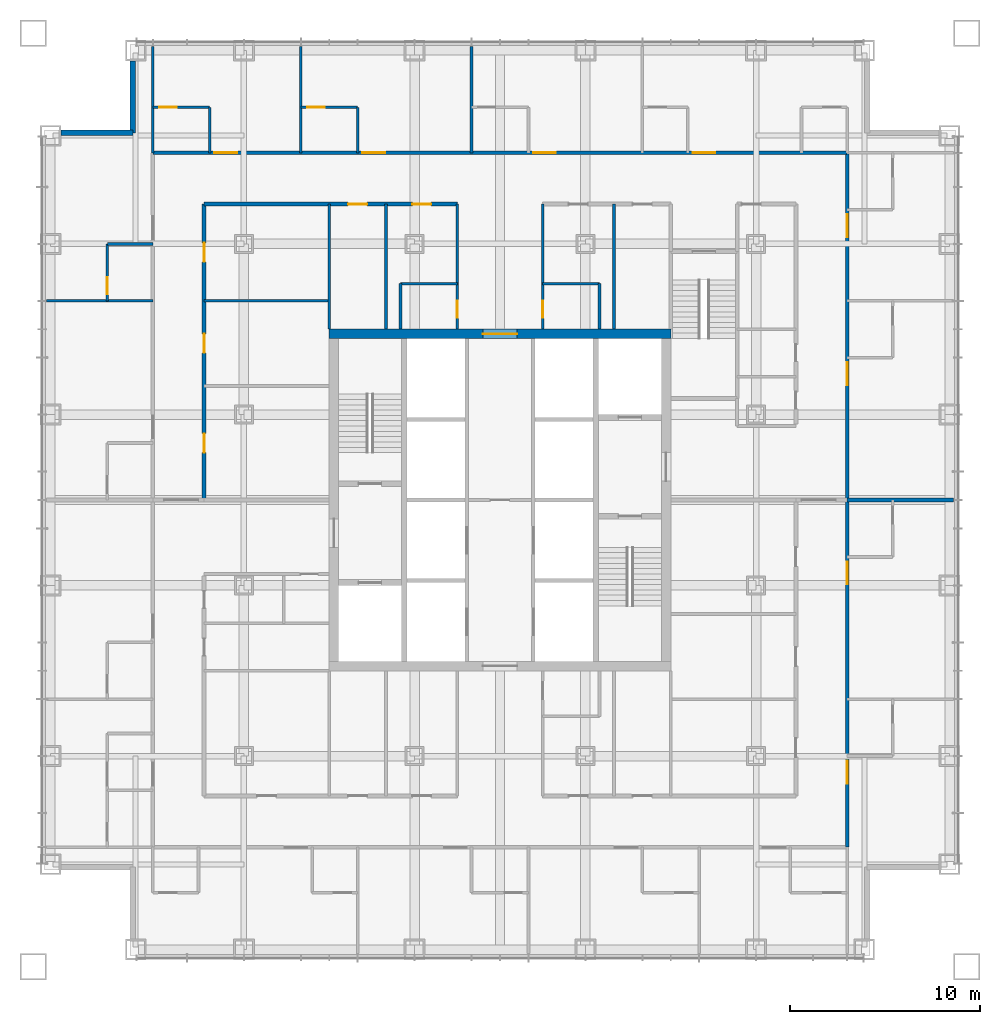
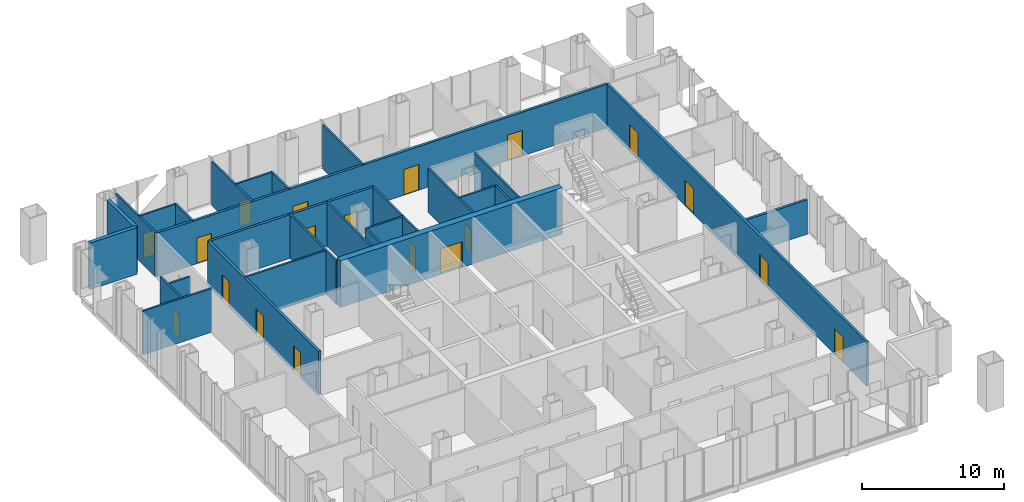
# One storey, part 11 of 13: 28 walls, 19 doors, 19 openings.
"""IFC4 building model written with IfcOpenShell, lengths in metres."""

import ifcopenshell
import ifcopenshell.guid

model = None  # the IFC model being written
_history = None  # IfcOwnerHistory: only IFC2X3 demands one
_inside = {}  # id of a spatial element -> (the spatial element, [elements in it])
_under = {}  # id of a project, library or spatial element -> (it, [spatial elements below it])
_declared = {}  # id of a project -> (the project, [libraries it declares])
_typed = {}  # id of a type object -> (the type object, [elements of that type])
_made_of = {}  # id of a material, layer set ... -> (it, [elements and type objects made of it])


def new_model(schema):
    """Start an empty IFC model of exactly this schema.

    Asked for "IFC4X3", IfcOpenShell would pick the latest addendum, in which some entities
    have other attributes; the version numbers below select the first issue.
    IFC2X3 requires an IfcOwnerHistory on every rooted entity: one is made here for all.
    """
    global model, _history
    if schema == "IFC4X3":
        model = ifcopenshell.file(schema_version=(4, 3, 0, 0))
    else:
        model = ifcopenshell.file(schema=schema)
    _inside.clear()
    _under.clear()
    _declared.clear()
    _typed.clear()
    _made_of.clear()
    _history = None
    if model.schema == "IFC2X3":
        org = make("IfcOrganization", Name="unknown")
        user = make(
            "IfcPersonAndOrganization",
            ThePerson=make("IfcPerson", FamilyName="unknown"),
            TheOrganization=org,
        )
        app = make(
            "IfcApplication",
            ApplicationDeveloper=org,
            Version="unknown",
            ApplicationFullName="unknown",
            ApplicationIdentifier="unknown",
        )
        _history = make(
            "IfcOwnerHistory",
            OwningUser=user,
            OwningApplication=app,
            ChangeAction="ADDED",
            CreationDate=0,
        )
    return model


def make(cls, **values):
    """One entity of the class cls with the attributes given. An attribute that is None is left unset."""
    return model.create_entity(
        cls, **{name: value for name, value in values.items() if value is not None}
    )


def rooted(cls, **values):
    """An entity with a GlobalId (a new one), such as an element, a storey or a relation."""
    return make(cls, GlobalId=ifcopenshell.guid.new(), OwnerHistory=_history, **values)


def si_unit(unit_type, name, prefix=None):
    """IfcSIUnit, for example si_unit("LENGTHUNIT", "METRE", prefix="MILLI")."""
    return make("IfcSIUnit", UnitType=unit_type, Prefix=prefix, Name=name)


def assignment(units):
    """IfcUnitAssignment: the units of a project."""
    return None if units is None else make("IfcUnitAssignment", Units=units)


def point(xyz):
    """IfcCartesianPoint."""
    return None if xyz is None else make("IfcCartesianPoint", Coordinates=xyz)


def direction(xyz):
    """IfcDirection."""
    return None if xyz is None else make("IfcDirection", DirectionRatios=xyz)


def frame(location, z_axis=None, x_axis=None):
    """IfcAxis2Placement3D, a coordinate frame: its origin and axes. An axis left out is left unset."""
    return make(
        "IfcAxis2Placement3D",
        Location=point(location),
        Axis=direction(z_axis),
        RefDirection=direction(x_axis),
    )


def frame_2d(location, x_axis=None):
    """IfcAxis2Placement2D, a coordinate frame in the plane: its origin and x axis."""
    return make(
        "IfcAxis2Placement2D", Location=point(location), RefDirection=direction(x_axis)
    )


def origin():
    """The frame at (0, 0, 0) with its axes left unset."""
    return frame((0.0, 0.0, 0.0))


def place(relative_to, where):
    """IfcLocalPlacement: puts the frame where relative to a parent placement (None: the world)."""
    return make(
        "IfcLocalPlacement", PlacementRelTo=relative_to, RelativePlacement=where
    )


def context(
    kind, dimensions, precision=None, world=None, true_north=None, identifier=None
):
    """IfcGeometricRepresentationContext, for example the 3D "Model" context."""
    return make(
        "IfcGeometricRepresentationContext",
        ContextIdentifier=identifier,
        ContextType=kind,
        CoordinateSpaceDimension=dimensions,
        Precision=precision,
        WorldCoordinateSystem=world,
        TrueNorth=true_north,
    )


def subcontext(parent, identifier, kind, view, scale=None):
    """IfcGeometricRepresentationSubContext, for example "Body" below "Model"."""
    return make(
        "IfcGeometricRepresentationSubContext",
        ContextIdentifier=identifier,
        ContextType=kind,
        ParentContext=parent,
        TargetScale=scale,
        TargetView=view,
    )


def project(units=None, contexts=None):
    """IfcProject with its units and contexts."""
    return rooted(
        "IfcProject",
        Name="project",
        RepresentationContexts=contexts,
        UnitsInContext=assignment(units),
    )


def spatial(cls, under=None, at=None, **own):
    """A site, building, storey or space (cls), placed at a placement, below another one or the project."""
    s = rooted(cls, ObjectPlacement=at, **own)
    if under is not None:
        _under.setdefault(under.id(), (under, []))[1].append(s)
    return s


def profile(cls, at=None, kind="AREA", **sizes):
    """A parametric profile (cls). Its sizes go by their IFC names, for example OverallWidth=200.0."""
    return make(cls, ProfileType=kind, Position=at, **sizes)


def rectangle(**sizes):
    """IfcRectangleProfileDef."""
    return profile("IfcRectangleProfileDef", **sizes)


def extrude(swept, where, along, depth):
    """IfcExtrudedAreaSolid: the profile swept, set in the frame where, extruded along a direction by depth."""
    return make(
        "IfcExtrudedAreaSolid",
        SweptArea=swept,
        Position=where,
        ExtrudedDirection=direction(along),
        Depth=depth,
    )


def shape(context_of_items, identifier, shape_type, items):
    """IfcShapeRepresentation: the items that make up one representation, for example the "Body"."""
    return make(
        "IfcShapeRepresentation",
        ContextOfItems=context_of_items,
        RepresentationIdentifier=identifier,
        RepresentationType=shape_type,
        Items=items,
    )


def material(Name=None, Category=None):
    """IfcMaterial."""
    return make("IfcMaterial", Name=Name, Category=Category)


def layer(
    of_material, thickness, ventilated=None, Name=None, Category=None, Priority=None
):
    """IfcMaterialLayer: one layer of a wall or slab, of a material (None: an air gap)."""
    return make(
        "IfcMaterialLayer",
        Material=of_material,
        LayerThickness=thickness,
        IsVentilated=ventilated,
        Name=Name,
        Category=Category,
        Priority=Priority,
    )


def layer_set(layers, Name=None):
    """IfcMaterialLayerSet."""
    return make("IfcMaterialLayerSet", MaterialLayers=layers, LayerSetName=Name)


def made_of(thing, what):
    """Note that an element or type object is made of a material, layer set ...; save() writes the relation."""
    if what is not None:
        _made_of.setdefault(what.id(), (what, []))[1].append(thing)
    return thing


def type_object(cls, material=None, **own):
    """A type object (cls), such as IfcWallType, which elements share."""
    return made_of(rooted(cls, **own), material)


def element(
    cls,
    number,
    at=None,
    inside=None,
    cuts=None,
    type_object=None,
    material=None,
    context=None,
    identifier="Body",
    shape_type=None,
    held_by="IfcProductDefinitionShape",
    body=None,
    shapes=None,
    **own,
):
    """One element of the class cls, such as IfcWall. Its Tag is "e" and its number.

    at: its placement. inside: the storey or other place that contains it. cuts: it is an
    opening in that element (IfcRelVoidsElement). A single representation is given by context,
    identifier, shape_type and body (its items); several are given by shapes. held_by: the class
    of the entity that holds the representations. save() writes the other relations.
    """
    e = rooted(cls, Tag="e%d" % number, ObjectPlacement=at, **own)
    if body is not None:
        shapes = [shape(context, identifier, shape_type, body)]
    if shapes is not None:
        e.Representation = make(held_by, Representations=shapes)
    if inside is not None:
        _inside.setdefault(inside.id(), (inside, []))[1].append(e)
    if cuts is not None:
        rooted(
            "IfcRelVoidsElement", RelatingBuildingElement=cuts, RelatedOpeningElement=e
        )
    if type_object is not None:
        _typed.setdefault(type_object.id(), (type_object, []))[1].append(e)
    return made_of(e, material)


def fill(opening, filler):
    """IfcRelFillsElement: the door or window that sits in an opening."""
    return rooted(
        "IfcRelFillsElement",
        RelatingOpeningElement=opening,
        RelatedBuildingElement=filler,
    )


def aggregate(whole, parts):
    """IfcRelAggregates: a whole, such as a stair, and the parts it consists of."""
    return rooted("IfcRelAggregates", RelatingObject=whole, RelatedObjects=parts)


def save(model, path):
    """Write the relations noted so far, then the file.

    IfcRelAggregates (storeys below a building ...), IfcRelContainedInSpatialStructure (elements
    in a storey), IfcRelDefinesByType, IfcRelAssociatesMaterial and IfcRelDeclares: one each for
    every whole, place, type object, material and project.
    """
    for whole, parts in _under.values():
        aggregate(whole, parts)
    for where, things in _inside.values():
        rooted(
            "IfcRelContainedInSpatialStructure",
            RelatedElements=things,
            RelatingStructure=where,
        )
    for kind, things in _typed.values():
        rooted("IfcRelDefinesByType", RelatedObjects=things, RelatingType=kind)
    for what, things in _made_of.values():
        rooted("IfcRelAssociatesMaterial", RelatedObjects=things, RelatingMaterial=what)
    for by, libraries in _declared.values():
        rooted("IfcRelDeclares", RelatingContext=by, RelatedDefinitions=libraries)
    model.write(path)


model = new_model("IFC4")

# Units and contexts
model_context = context("Model", 3, precision=1e-05, world=origin(), true_north=direction((0.0, 1.0)))
body_context = subcontext(model_context, "Body", "Model", "MODEL_VIEW")
ifc_project = project(units=[si_unit("LENGTHUNIT", "METRE"), si_unit("AREAUNIT", "SQUARE_METRE"), si_unit("VOLUMEUNIT", "CUBIC_METRE"), si_unit("PLANEANGLEUNIT", "RADIAN"), si_unit("MASSUNIT", "GRAM", prefix="KILO")], contexts=[model_context])

# Site, building, storey
site_placement = place(None, origin())
site = spatial("IfcSite", under=ifc_project, at=site_placement, CompositionType="ELEMENT")
building_placement = place(site_placement, origin())
building = spatial("IfcBuilding", under=site, at=building_placement, Name="Malebo Sky Hospital", CompositionType="ELEMENT")
storey_placement = place(building_placement, frame((0.0, 0.0, 104.0)))
storey = spatial("IfcBuildingStorey", under=building, at=storey_placement, Name="L24", CompositionType="ELEMENT", Elevation=104.0)

# Wall, opening, door
ifc_material_1 = material(Name="Concrete C80/95", Category="concrete")
ifc_layer_1 = layer(ifc_material_1, 0.5)
ifc_layer_set_1 = layer_set([ifc_layer_1], Name="CORE WALL 500")
wall_type_1 = type_object("IfcWallType", Name="CORE WALL 500", PredefinedType="SHEAR", material=ifc_layer_set_1)
wall_1_placement = place(storey_placement, frame((51.0, 70.75, 0.0), z_axis=(0.0, 0.0, 1.0), x_axis=(1.0, 0.0, 0.0)))
wall_1 = element("IfcWall", 1, at=wall_1_placement, inside=storey, type_object=wall_type_1, Name="Core wall N L24", PredefinedType="SHEAR", context=body_context, shape_type="SweptSolid", body=[
    extrude(rectangle(XDim=18.0, YDim=0.5, at=frame_2d((9.0, 0.0))), origin(), (0.0, 0.0, 1.0), 4.0),
])
opening_1_placement = place(wall_1_placement, frame((8.10009765625, 0.0, 0.0)))
opening_1 = element("IfcOpeningElement", 2, at=opening_1_placement, cuts=wall_1, Name="Opening D06", PredefinedType="OPENING", context=body_context, shape_type="SweptSolid", body=[
    extrude(rectangle(XDim=1.800048828125, YDim=2.199951171875, at=frame_2d((0.89990234375, 1.10009765625))), frame((0.0, 0.260009765625, 0.0), z_axis=(0.0, -1.0, 0.0), x_axis=(1.0, 0.0, 0.0)), (0.0, 0.0, 1.0), 0.52001953125),
])
ifc_material_2 = material(Name="Hardwood-faced door leaf in steel frame", Category="steel")
door_type_1 = type_object("IfcDoorType", Name="LOBBY DOOR PAIR 1800", OperationType="DOUBLE_DOOR_SINGLE_SWING", PredefinedType="DOOR", material=ifc_material_2)
door_1_placement = place(opening_1_placement, origin())
door_1 = element("IfcDoor", 3, at=door_1_placement, inside=storey, type_object=door_type_1, Name="linen store door north", OperationType="DOUBLE_DOOR_SINGLE_SWING", OverallHeight=2.199951171875, OverallWidth=1.800048828125, PredefinedType="DOOR", context=body_context, shape_type="SweptSolid", body=[
    extrude(rectangle(XDim=1.800048828125, YDim=2.199951171875, at=frame_2d((0.89990234375, 1.10009765625))), frame((0.0, 0.02490234375, 0.0), z_axis=(0.0, -1.0, 0.0), x_axis=(1.0, 0.0, 0.0)), (0.0, 0.0, 1.0), 0.050048828125),
])
fill(opening_1, door_1)

# Wall, openings, doors
ifc_material_3 = material(Name="Gypsum board on steel studs", Category="steel")
ifc_layer_2 = layer(ifc_material_3, 0.199951171875)
ifc_layer_set_2 = layer_set([ifc_layer_2], Name="CORRIDOR WALL 200")
wall_type_2 = type_object("IfcWallType", Name="CORRIDOR WALL 200", PredefinedType="PARTITIONING", material=ifc_layer_set_2)
wall_2_placement = place(storey_placement, frame((41.699951171875, 80.300048828125, 0.0), z_axis=(0.0, 0.0, 1.0), x_axis=(1.0, 0.0, 0.0)))
wall_2 = element("IfcWall", 4, at=wall_2_placement, inside=storey, type_object=wall_type_2, Name="Corridor Wall 200 NCO", PredefinedType="PARTITIONING", context=body_context, shape_type="SweptSolid", body=[
    extrude(rectangle(XDim=36.60009765625, YDim=0.199951171875, at=frame_2d((18.300048828125, 0.0))), origin(), (0.0, 0.0, 1.0), 3.75),
])
opening_2_placement = place(wall_2_placement, frame((3.25, 0.0, 0.0)))
opening_2 = element("IfcOpeningElement", 5, at=opening_2_placement, cuts=wall_2, Name="Opening D01", PredefinedType="OPENING", context=body_context, shape_type="SweptSolid", body=[
    extrude(rectangle(XDim=1.199951171875, YDim=2.199951171875, at=frame_2d((0.60009765625, 1.10009765625))), frame((0.0, 0.10986328125, 0.0), z_axis=(0.0, -1.0, 0.0), x_axis=(1.0, 0.0, 0.0)), (0.0, 0.0, 1.0), 0.219970703125),
])
opening_3_placement = place(wall_2_placement, frame((11.050048828125, 0.0, 0.0)))
opening_3 = element("IfcOpeningElement", 6, at=opening_3_placement, cuts=wall_2, Name="Opening D01", PredefinedType="OPENING", context=body_context, shape_type="SweptSolid", body=[
    extrude(rectangle(XDim=1.199951171875, YDim=2.199951171875, at=frame_2d((0.60009765625, 1.10009765625))), frame((0.0, 0.10986328125, 0.0), z_axis=(0.0, -1.0, 0.0), x_axis=(1.0, 0.0, 0.0)), (0.0, 0.0, 1.0), 0.219970703125),
])
opening_4_placement = place(wall_2_placement, frame((20.050048828125, 0.0, 0.0)))
opening_4 = element("IfcOpeningElement", 7, at=opening_4_placement, cuts=wall_2, Name="Opening D01", PredefinedType="OPENING", context=body_context, shape_type="SweptSolid", body=[
    extrude(rectangle(XDim=1.199951171875, YDim=2.199951171875, at=frame_2d((0.60009765625, 1.10009765625))), frame((0.0, 0.10986328125, 0.0), z_axis=(0.0, -1.0, 0.0), x_axis=(1.0, 0.0, 0.0)), (0.0, 0.0, 1.0), 0.219970703125),
])
opening_5_placement = place(wall_2_placement, frame((28.449951171875, 0.0, 0.0)))
opening_5 = element("IfcOpeningElement", 8, at=opening_5_placement, cuts=wall_2, Name="Opening D01", PredefinedType="OPENING", context=body_context, shape_type="SweptSolid", body=[
    extrude(rectangle(XDim=1.199951171875, YDim=2.199951171875, at=frame_2d((0.60009765625, 1.10009765625))), frame((0.0, 0.10986328125, 0.0), z_axis=(0.0, -1.0, 0.0), x_axis=(1.0, 0.0, 0.0)), (0.0, 0.0, 1.0), 0.219970703125),
])
door_type_2 = type_object("IfcDoorType", Name="BED DOOR 1200", OperationType="SINGLE_SWING_LEFT", PredefinedType="DOOR", material=ifc_material_2)
door_2_placement = place(opening_2_placement, origin())
door_2 = element("IfcDoor", 9, at=door_2_placement, inside=storey, type_object=door_type_2, Name="Coronary care room door", OperationType="SINGLE_SWING_LEFT", OverallHeight=2.199951171875, OverallWidth=1.199951171875, PredefinedType="DOOR", context=body_context, shape_type="SweptSolid", body=[
    extrude(rectangle(XDim=1.199951171875, YDim=2.199951171875, at=frame_2d((0.60009765625, 1.10009765625))), frame((0.0, 0.02490234375, 0.0), z_axis=(0.0, -1.0, 0.0), x_axis=(1.0, 0.0, 0.0)), (0.0, 0.0, 1.0), 0.050048828125),
])
fill(opening_2, door_2)
door_3_placement = place(opening_3_placement, origin())
door_3 = element("IfcDoor", 10, at=door_3_placement, inside=storey, type_object=door_type_2, Name="Observation bay door", OperationType="SINGLE_SWING_LEFT", OverallHeight=2.199951171875, OverallWidth=1.199951171875, PredefinedType="DOOR", context=body_context, shape_type="SweptSolid", body=[
    extrude(rectangle(XDim=1.199951171875, YDim=2.199951171875, at=frame_2d((0.60009765625, 1.10009765625))), frame((0.0, 0.02490234375, 0.0), z_axis=(0.0, -1.0, 0.0), x_axis=(1.0, 0.0, 0.0)), (0.0, 0.0, 1.0), 0.050048828125),
])
fill(opening_3, door_3)
door_4_placement = place(opening_4_placement, origin())
door_4 = element("IfcDoor", 11, at=door_4_placement, inside=storey, type_object=door_type_2, Name="Coronary care room door", OperationType="SINGLE_SWING_LEFT", OverallHeight=2.199951171875, OverallWidth=1.199951171875, PredefinedType="DOOR", context=body_context, shape_type="SweptSolid", body=[
    extrude(rectangle(XDim=1.199951171875, YDim=2.199951171875, at=frame_2d((0.60009765625, 1.10009765625))), frame((0.0, 0.02490234375, 0.0), z_axis=(0.0, -1.0, 0.0), x_axis=(1.0, 0.0, 0.0)), (0.0, 0.0, 1.0), 0.050048828125),
])
fill(opening_4, door_4)
door_5_placement = place(opening_5_placement, origin())
door_5 = element("IfcDoor", 12, at=door_5_placement, inside=storey, type_object=door_type_2, Name="Four-bed bay door", OperationType="SINGLE_SWING_LEFT", OverallHeight=2.199951171875, OverallWidth=1.199951171875, PredefinedType="DOOR", context=body_context, shape_type="SweptSolid", body=[
    extrude(rectangle(XDim=1.199951171875, YDim=2.199951171875, at=frame_2d((0.60009765625, 1.10009765625))), frame((0.0, 0.02490234375, 0.0), z_axis=(0.0, -1.0, 0.0), x_axis=(1.0, 0.0, 0.0)), (0.0, 0.0, 1.0), 0.050048828125),
])
fill(opening_5, door_5)

wall_3_placement = place(storey_placement, frame((44.39990234375, 77.60009765625, 0.0), z_axis=(0.0, 0.0, 1.0), x_axis=(1.0, 0.0, 0.0)))
wall_3 = element("IfcWall", 13, at=wall_3_placement, inside=storey, type_object=wall_type_2, Name="Corridor Wall 200 NCI1", PredefinedType="PARTITIONING", context=body_context, shape_type="SweptSolid", body=[
    extrude(rectangle(XDim=13.35009765625, YDim=0.199951171875, at=frame_2d((6.675048828125, 0.0))), origin(), (0.0, 0.0, 1.0), 3.75),
])
opening_6_placement = place(wall_3_placement, frame((7.60009765625, 0.0, 0.0)))
opening_6 = element("IfcOpeningElement", 14, at=opening_6_placement, cuts=wall_3, Name="Opening D03", PredefinedType="OPENING", context=body_context, shape_type="SweptSolid", body=[
    extrude(rectangle(XDim=1.0, YDim=2.10009765625, at=frame_2d((0.5, 1.050048828125))), frame((0.0, 0.10986328125, 0.0), z_axis=(0.0, -1.0, 0.0), x_axis=(1.0, 0.0, 0.0)), (0.0, 0.0, 1.0), 0.219970703125),
])
opening_7_placement = place(wall_3_placement, frame((10.97509765625, 0.0, 0.0)))
opening_7 = element("IfcOpeningElement", 15, at=opening_7_placement, cuts=wall_3, Name="Opening D03", PredefinedType="OPENING", context=body_context, shape_type="SweptSolid", body=[
    extrude(rectangle(XDim=1.0, YDim=2.10009765625, at=frame_2d((0.5, 1.050048828125))), frame((0.0, 0.10986328125, 0.0), z_axis=(0.0, -1.0, 0.0), x_axis=(1.0, 0.0, 0.0)), (0.0, 0.0, 1.0), 0.219970703125),
])
door_type_3 = type_object("IfcDoorType", Name="ROOM DOOR 1000", OperationType="SINGLE_SWING_LEFT", PredefinedType="DOOR", material=ifc_material_2)
door_6_placement = place(opening_6_placement, origin())
door_6 = element("IfcDoor", 16, at=door_6_placement, inside=storey, type_object=door_type_3, Name="Echo room door", OperationType="SINGLE_SWING_LEFT", OverallHeight=2.10009765625, OverallWidth=1.0, PredefinedType="DOOR", context=body_context, shape_type="SweptSolid", body=[
    extrude(rectangle(XDim=1.0, YDim=2.10009765625, at=frame_2d((0.5, 1.050048828125))), frame((0.0, 0.02490234375, 0.0), z_axis=(0.0, -1.0, 0.0), x_axis=(1.0, 0.0, 0.0)), (0.0, 0.0, 1.0), 0.050048828125),
])
fill(opening_6, door_6)
door_7_placement = place(opening_7_placement, origin())
door_7 = element("IfcDoor", 17, at=door_7_placement, inside=storey, type_object=door_type_3, Name="Cardiac physiology room door", OperationType="SINGLE_SWING_LEFT", OverallHeight=2.10009765625, OverallWidth=1.0, PredefinedType="DOOR", context=body_context, shape_type="SweptSolid", body=[
    extrude(rectangle(XDim=1.0, YDim=2.10009765625, at=frame_2d((0.5, 1.050048828125))), frame((0.0, 0.02490234375, 0.0), z_axis=(0.0, -1.0, 0.0), x_axis=(1.0, 0.0, 0.0)), (0.0, 0.0, 1.0), 0.050048828125),
])
fill(opening_7, door_7)

wall_4_placement = place(storey_placement, frame((44.39990234375, 62.0, 0.0), z_axis=(0.0, 0.0, 1.0), x_axis=(0.0, 1.0, 0.0)))
wall_4 = element("IfcWall", 18, at=wall_4_placement, inside=storey, type_object=wall_type_2, Name="Corridor Wall 200 WCI2", PredefinedType="PARTITIONING", context=body_context, shape_type="SweptSolid", body=[
    extrude(rectangle(XDim=15.60009765625, YDim=0.199951171875, at=frame_2d((7.800048828125, 0.0))), origin(), (0.0, 0.0, 1.0), 3.75),
])
opening_8_placement = place(wall_4_placement, frame((2.5, 0.0, 0.0)))
opening_8 = element("IfcOpeningElement", 19, at=opening_8_placement, cuts=wall_4, Name="Opening D03", PredefinedType="OPENING", context=body_context, shape_type="SweptSolid", body=[
    extrude(rectangle(XDim=1.0, YDim=2.10009765625, at=frame_2d((0.5, 1.050048828125))), frame((0.0, 0.10986328125, 0.0), z_axis=(0.0, -1.0, 0.0), x_axis=(1.0, 0.0, 0.0)), (0.0, 0.0, 1.0), 0.219970703125),
])
opening_9_placement = place(wall_4_placement, frame((7.75, 0.0, 0.0)))
opening_9 = element("IfcOpeningElement", 20, at=opening_9_placement, cuts=wall_4, Name="Opening D03", PredefinedType="OPENING", context=body_context, shape_type="SweptSolid", body=[
    extrude(rectangle(XDim=1.0, YDim=2.10009765625, at=frame_2d((0.5, 1.050048828125))), frame((0.0, 0.10986328125, 0.0), z_axis=(0.0, -1.0, 0.0), x_axis=(1.0, 0.0, 0.0)), (0.0, 0.0, 1.0), 0.219970703125),
])
opening_10_placement = place(wall_4_placement, frame((12.550048828125, 0.0, 0.0)))
opening_10 = element("IfcOpeningElement", 21, at=opening_10_placement, cuts=wall_4, Name="Opening D03", PredefinedType="OPENING", context=body_context, shape_type="SweptSolid", body=[
    extrude(rectangle(XDim=1.0, YDim=2.10009765625, at=frame_2d((0.5, 1.050048828125))), frame((0.0, 0.10986328125, 0.0), z_axis=(0.0, -1.0, 0.0), x_axis=(1.0, 0.0, 0.0)), (0.0, 0.0, 1.0), 0.219970703125),
])
door_8_placement = place(opening_8_placement, origin())
door_8 = element("IfcDoor", 22, at=door_8_placement, inside=storey, type_object=door_type_3, Name="Treatment room door", OperationType="SINGLE_SWING_LEFT", OverallHeight=2.10009765625, OverallWidth=1.0, PredefinedType="DOOR", context=body_context, shape_type="SweptSolid", body=[
    extrude(rectangle(XDim=1.0, YDim=2.10009765625, at=frame_2d((0.5, 1.050048828125))), frame((0.0, 0.02490234375, 0.0), z_axis=(0.0, -1.0, 0.0), x_axis=(1.0, 0.0, 0.0)), (0.0, 0.0, 1.0), 0.050048828125),
])
fill(opening_8, door_8)
door_9_placement = place(opening_9_placement, origin())
door_9 = element("IfcDoor", 23, at=door_9_placement, inside=storey, type_object=door_type_3, Name="Resuscitation trolley bay door", OperationType="SINGLE_SWING_LEFT", OverallHeight=2.10009765625, OverallWidth=1.0, PredefinedType="DOOR", context=body_context, shape_type="SweptSolid", body=[
    extrude(rectangle(XDim=1.0, YDim=2.10009765625, at=frame_2d((0.5, 1.050048828125))), frame((0.0, 0.02490234375, 0.0), z_axis=(0.0, -1.0, 0.0), x_axis=(1.0, 0.0, 0.0)), (0.0, 0.0, 1.0), 0.050048828125),
])
fill(opening_9, door_9)
door_10_placement = place(opening_10_placement, origin())
door_10 = element("IfcDoor", 24, at=door_10_placement, inside=storey, type_object=door_type_3, Name="Staff base door", OperationType="SINGLE_SWING_RIGHT", OverallHeight=2.10009765625, OverallWidth=1.0, PredefinedType="DOOR", context=body_context, shape_type="SweptSolid", body=[
    extrude(rectangle(XDim=1.0, YDim=2.10009765625, at=frame_2d((0.5, 1.050048828125))), frame((0.0, 0.02490234375, 0.0), z_axis=(0.0, -1.0, 0.0), x_axis=(1.0, 0.0, 0.0)), (0.0, 0.0, 1.0), 0.050048828125),
])
fill(opening_10, door_10)

wall_5_placement = place(storey_placement, frame((78.300048828125, 80.300048828125, 0.0), z_axis=(0.0, 0.0, 1.0), x_axis=(0.0, -1.0, 0.0)))
wall_5 = element("IfcWall", 25, at=wall_5_placement, inside=storey, type_object=wall_type_2, Name="Corridor Wall 200 ECO", PredefinedType="PARTITIONING", context=body_context, shape_type="SweptSolid", body=[
    extrude(rectangle(XDim=36.60009765625, YDim=0.199951171875, at=frame_2d((18.300048828125, 0.0))), origin(), (0.0, 0.0, 1.0), 3.75),
])
opening_11_placement = place(wall_5_placement, frame((3.25, 0.0, 0.0)))
opening_11 = element("IfcOpeningElement", 26, at=opening_11_placement, cuts=wall_5, Name="Opening D01", PredefinedType="OPENING", context=body_context, shape_type="SweptSolid", body=[
    extrude(rectangle(XDim=1.199951171875, YDim=2.199951171875, at=frame_2d((0.60009765625, 1.10009765625))), frame((0.0, 0.10986328125, 0.0), z_axis=(0.0, -1.0, 0.0), x_axis=(1.0, 0.0, 0.0)), (0.0, 0.0, 1.0), 0.219970703125),
])
opening_12_placement = place(wall_5_placement, frame((11.050048828125, 0.0, 0.0)))
opening_12 = element("IfcOpeningElement", 27, at=opening_12_placement, cuts=wall_5, Name="Opening D01", PredefinedType="OPENING", context=body_context, shape_type="SweptSolid", body=[
    extrude(rectangle(XDim=1.199951171875, YDim=2.199951171875, at=frame_2d((0.60009765625, 1.10009765625))), frame((0.0, 0.10986328125, 0.0), z_axis=(0.0, -1.0, 0.0), x_axis=(1.0, 0.0, 0.0)), (0.0, 0.0, 1.0), 0.219970703125),
])
opening_13_placement = place(wall_5_placement, frame((21.550048828125, 0.0, 0.0)))
opening_13 = element("IfcOpeningElement", 28, at=opening_13_placement, cuts=wall_5, Name="Opening D01", PredefinedType="OPENING", context=body_context, shape_type="SweptSolid", body=[
    extrude(rectangle(XDim=1.199951171875, YDim=2.199951171875, at=frame_2d((0.60009765625, 1.10009765625))), frame((0.0, 0.10986328125, 0.0), z_axis=(0.0, -1.0, 0.0), x_axis=(1.0, 0.0, 0.0)), (0.0, 0.0, 1.0), 0.219970703125),
])
opening_14_placement = place(wall_5_placement, frame((32.050048828125, 0.0, 0.0)))
opening_14 = element("IfcOpeningElement", 29, at=opening_14_placement, cuts=wall_5, Name="Opening D01", PredefinedType="OPENING", context=body_context, shape_type="SweptSolid", body=[
    extrude(rectangle(XDim=1.199951171875, YDim=2.199951171875, at=frame_2d((0.60009765625, 1.10009765625))), frame((0.0, 0.10986328125, 0.0), z_axis=(0.0, -1.0, 0.0), x_axis=(1.0, 0.0, 0.0)), (0.0, 0.0, 1.0), 0.219970703125),
])
door_11_placement = place(opening_11_placement, origin())
door_11 = element("IfcDoor", 30, at=door_11_placement, inside=storey, type_object=door_type_2, Name="Coronary care room door", OperationType="SINGLE_SWING_LEFT", OverallHeight=2.199951171875, OverallWidth=1.199951171875, PredefinedType="DOOR", context=body_context, shape_type="SweptSolid", body=[
    extrude(rectangle(XDim=1.199951171875, YDim=2.199951171875, at=frame_2d((0.60009765625, 1.10009765625))), frame((0.0, 0.02490234375, 0.0), z_axis=(0.0, -1.0, 0.0), x_axis=(1.0, 0.0, 0.0)), (0.0, 0.0, 1.0), 0.050048828125),
])
fill(opening_11, door_11)
door_12_placement = place(opening_12_placement, origin())
door_12 = element("IfcDoor", 31, at=door_12_placement, inside=storey, type_object=door_type_2, Name="Coronary care room door", OperationType="SINGLE_SWING_LEFT", OverallHeight=2.199951171875, OverallWidth=1.199951171875, PredefinedType="DOOR", context=body_context, shape_type="SweptSolid", body=[
    extrude(rectangle(XDim=1.199951171875, YDim=2.199951171875, at=frame_2d((0.60009765625, 1.10009765625))), frame((0.0, 0.02490234375, 0.0), z_axis=(0.0, -1.0, 0.0), x_axis=(1.0, 0.0, 0.0)), (0.0, 0.0, 1.0), 0.050048828125),
])
fill(opening_12, door_12)
door_13_placement = place(opening_13_placement, origin())
door_13 = element("IfcDoor", 32, at=door_13_placement, inside=storey, type_object=door_type_2, Name="Coronary care room door", OperationType="SINGLE_SWING_LEFT", OverallHeight=2.199951171875, OverallWidth=1.199951171875, PredefinedType="DOOR", context=body_context, shape_type="SweptSolid", body=[
    extrude(rectangle(XDim=1.199951171875, YDim=2.199951171875, at=frame_2d((0.60009765625, 1.10009765625))), frame((0.0, 0.02490234375, 0.0), z_axis=(0.0, -1.0, 0.0), x_axis=(1.0, 0.0, 0.0)), (0.0, 0.0, 1.0), 0.050048828125),
])
fill(opening_13, door_13)
door_14_placement = place(opening_14_placement, origin())
door_14 = element("IfcDoor", 33, at=door_14_placement, inside=storey, type_object=door_type_2, Name="Two-bed room door", OperationType="SINGLE_SWING_LEFT", OverallHeight=2.199951171875, OverallWidth=1.199951171875, PredefinedType="DOOR", context=body_context, shape_type="SweptSolid", body=[
    extrude(rectangle(XDim=1.199951171875, YDim=2.199951171875, at=frame_2d((0.60009765625, 1.10009765625))), frame((0.0, 0.02490234375, 0.0), z_axis=(0.0, -1.0, 0.0), x_axis=(1.0, 0.0, 0.0)), (0.0, 0.0, 1.0), 0.050048828125),
])
fill(opening_14, door_14)

# Walls
ifc_material_4 = material(Name="Anodised aluminium rainscreen on steel framing", Category="steel")
ifc_layer_3 = layer(ifc_material_4, 0.300048828125)
ifc_layer_set_3 = layer_set([ifc_layer_3], Name="NOTCH RAINSCREEN WALL 300")
wall_type_3 = type_object("IfcWallType", Name="NOTCH RAINSCREEN WALL 300", PredefinedType="ELEMENTEDWALL", material=ifc_layer_set_3)
for number, where, z_axis, x_axis, name in (
    (34, (36.85009765625, 81.35009765625, 0.0), (0.0, 0.0, 1.0), (1.0, 0.0, 0.0), "Notch rainscreen wall W1 L24"),
    (35, (40.64990234375, 81.35009765625, 0.0), (0.0, 0.0, 1.0), (0.0, 1.0, 0.0), "Notch rainscreen wall W2 L24"),
):
    element("IfcWall", number, at=place(storey_placement, frame(where, z_axis=z_axis, x_axis=x_axis)), inside=storey, type_object=wall_type_3, Name=name, PredefinedType="ELEMENTEDWALL", context=body_context, shape_type="SweptSolid", body=[
        extrude(rectangle(XDim=3.7998046875, YDim=0.300048828125, at=frame_2d((1.89990234375, 0.0))), origin(), (0.0, 0.0, 1.0), 4.0),
    ])
ifc_layer_4 = layer(ifc_material_3, 0.14990234375)
ifc_layer_set_4 = layer_set([ifc_layer_4], Name="PARTITION 150")
wall_type_4 = type_object("IfcWallType", Name="PARTITION 150", PredefinedType="PARTITIONING", material=ifc_layer_set_4)
for number, where, z_axis, x_axis, name in (
    (36, (49.5, 80.300048828125, 0.0), (0.0, 0.0, 1.0), (0.0, 1.0, 0.0), "Partition 150 NP-10.5"),
    (37, (58.5, 80.300048828125, 0.0), (0.0, 0.0, 1.0), (0.0, 1.0, 0.0), "Partition 150 NP-1.5"),
    (38, (41.699951171875, 80.300048828125, 0.0), (0.0, 0.0, 1.0), (0.0, 1.0, 0.0), "Partition 150 NP0"),
):
    element("IfcWall", number, at=place(storey_placement, frame(where, z_axis=z_axis, x_axis=x_axis)), inside=storey, type_object=wall_type_4, Name=name, PredefinedType="PARTITIONING", context=body_context, shape_type="SweptSolid", body=[
        extrude(rectangle(XDim=5.60986328125, YDim=0.14990234375, at=frame_2d((2.804931640625, 0.0))), origin(), (0.0, 0.0, 1.0), 3.75),
    ])

# Wall, opening, door
wall_6_placement = place(storey_placement, frame((41.699951171875, 82.699951171875, 0.0), z_axis=(0.0, 0.0, 1.0), x_axis=(1.0, 0.0, 0.0)))
wall_6 = element("IfcWall", 39, at=wall_6_placement, inside=storey, type_object=wall_type_4, Name="Partition 150 NE0F", PredefinedType="PARTITIONING", context=body_context, shape_type="SweptSolid", body=[
    extrude(rectangle(XDim=3.0, YDim=0.14990234375, at=frame_2d((1.5, 0.0))), origin(), (0.0, 0.0, 1.0), 3.75),
])
opening_15_placement = place(wall_6_placement, frame((0.35009765625, 0.0, 0.0)))
opening_15 = element("IfcOpeningElement", 40, at=opening_15_placement, cuts=wall_6, Name="Opening D02", PredefinedType="OPENING", context=body_context, shape_type="SweptSolid", body=[
    extrude(rectangle(XDim=0.89990234375, YDim=2.10009765625, at=frame_2d((0.449951171875, 1.050048828125))), frame((0.0, 0.0849609375, 0.0), z_axis=(0.0, -1.0, 0.0), x_axis=(1.0, 0.0, 0.0)), (0.0, 0.0, 1.0), 0.169921875),
])
door_type_4 = type_object("IfcDoorType", Name="EN-SUITE DOOR 900", OperationType="SINGLE_SWING_LEFT", PredefinedType="DOOR", material=ifc_material_2)
door_15_placement = place(opening_15_placement, origin())
door_15 = element("IfcDoor", 41, at=door_15_placement, inside=storey, type_object=door_type_4, Name="En-suite door", OperationType="SINGLE_SWING_LEFT", OverallHeight=2.10009765625, OverallWidth=0.89990234375, PredefinedType="DOOR", context=body_context, shape_type="SweptSolid", body=[
    extrude(rectangle(XDim=0.89990234375, YDim=2.10009765625, at=frame_2d((0.449951171875, 1.050048828125))), frame((0.0, 0.02490234375, 0.0), z_axis=(0.0, -1.0, 0.0), x_axis=(1.0, 0.0, 0.0)), (0.0, 0.0, 1.0), 0.050048828125),
])
fill(opening_15, door_15)

# Wall
wall_7_placement = place(storey_placement, frame((44.699951171875, 80.300048828125, 0.0), z_axis=(0.0, 0.0, 1.0), x_axis=(0.0, 1.0, 0.0)))
element("IfcWall", 42, at=wall_7_placement, inside=storey, type_object=wall_type_4, Name="Partition 150 NE0S", PredefinedType="PARTITIONING", context=body_context, shape_type="SweptSolid", body=[
    extrude(rectangle(XDim=2.39990234375, YDim=0.14990234375, at=frame_2d((1.199951171875, 0.0))), origin(), (0.0, 0.0, 1.0), 3.75),
])

# Wall, opening, door
wall_8_placement = place(storey_placement, frame((49.5, 82.699951171875, 0.0), z_axis=(0.0, 0.0, 1.0), x_axis=(1.0, 0.0, 0.0)))
wall_8 = element("IfcWall", 43, at=wall_8_placement, inside=storey, type_object=wall_type_4, Name="Partition 150 NE1F", PredefinedType="PARTITIONING", context=body_context, shape_type="SweptSolid", body=[
    extrude(rectangle(XDim=3.0, YDim=0.14990234375, at=frame_2d((1.5, 0.0))), origin(), (0.0, 0.0, 1.0), 3.75),
])
opening_16_placement = place(wall_8_placement, frame((0.35009765625, 0.0, 0.0)))
opening_16 = element("IfcOpeningElement", 44, at=opening_16_placement, cuts=wall_8, Name="Opening D02", PredefinedType="OPENING", context=body_context, shape_type="SweptSolid", body=[
    extrude(rectangle(XDim=0.89990234375, YDim=2.10009765625, at=frame_2d((0.449951171875, 1.050048828125))), frame((0.0, 0.0849609375, 0.0), z_axis=(0.0, -1.0, 0.0), x_axis=(1.0, 0.0, 0.0)), (0.0, 0.0, 1.0), 0.169921875),
])
door_16_placement = place(opening_16_placement, origin())
door_16 = element("IfcDoor", 45, at=door_16_placement, inside=storey, type_object=door_type_4, Name="En-suite door", OperationType="SINGLE_SWING_LEFT", OverallHeight=2.10009765625, OverallWidth=0.89990234375, PredefinedType="DOOR", context=body_context, shape_type="SweptSolid", body=[
    extrude(rectangle(XDim=0.89990234375, YDim=2.10009765625, at=frame_2d((0.449951171875, 1.050048828125))), frame((0.0, 0.02490234375, 0.0), z_axis=(0.0, -1.0, 0.0), x_axis=(1.0, 0.0, 0.0)), (0.0, 0.0, 1.0), 0.050048828125),
])
fill(opening_16, door_16)

# Walls
wall_9_placement = place(storey_placement, frame((52.5, 80.300048828125, 0.0), z_axis=(0.0, 0.0, 1.0), x_axis=(0.0, 1.0, 0.0)))
element("IfcWall", 46, at=wall_9_placement, inside=storey, type_object=wall_type_4, Name="Partition 150 NE1S", PredefinedType="PARTITIONING", context=body_context, shape_type="SweptSolid", body=[
    extrude(rectangle(XDim=2.39990234375, YDim=0.14990234375, at=frame_2d((1.199951171875, 0.0))), origin(), (0.0, 0.0, 1.0), 3.75),
])
wall_10_placement = place(storey_placement, frame((51.0, 71.0, 0.0), z_axis=(0.0, 0.0, 1.0), x_axis=(0.0, 1.0, 0.0)))
element("IfcWall", 47, at=wall_10_placement, inside=storey, type_object=wall_type_4, Name="Partition 150 NSP0", PredefinedType="PARTITIONING", context=body_context, shape_type="SweptSolid", body=[
    extrude(rectangle(XDim=6.60009765625, YDim=0.14990234375, at=frame_2d((3.300048828125, 0.0))), origin(), (0.0, 0.0, 1.0), 3.75),
])

# Wall, opening, door
wall_11_placement = place(storey_placement, frame((57.75, 71.0, 0.0), z_axis=(0.0, 0.0, 1.0), x_axis=(0.0, 1.0, 0.0)))
wall_11 = element("IfcWall", 48, at=wall_11_placement, inside=storey, type_object=wall_type_4, Name="Partition 150 NSPA", PredefinedType="PARTITIONING", context=body_context, shape_type="SweptSolid", body=[
    extrude(rectangle(XDim=6.60009765625, YDim=0.14990234375, at=frame_2d((3.300048828125, 0.0))), origin(), (0.0, 0.0, 1.0), 3.75),
])
opening_17_placement = place(wall_11_placement, frame((0.60009765625, 0.0, 0.0)))
opening_17 = element("IfcOpeningElement", 49, at=opening_17_placement, cuts=wall_11, Name="Opening D04", PredefinedType="OPENING", context=body_context, shape_type="SweptSolid", body=[
    extrude(rectangle(XDim=0.89990234375, YDim=2.10009765625, at=frame_2d((0.449951171875, 1.050048828125))), frame((0.0, 0.0849609375, 0.0), z_axis=(0.0, -1.0, 0.0), x_axis=(1.0, 0.0, 0.0)), (0.0, 0.0, 1.0), 0.169921875),
])
door_type_5 = type_object("IfcDoorType", Name="ROOM DOOR 900", OperationType="SINGLE_SWING_LEFT", PredefinedType="DOOR", material=ifc_material_2)
door_17_placement = place(opening_17_placement, origin())
door_17 = element("IfcDoor", 50, at=door_17_placement, inside=storey, type_object=door_type_5, Name="Staff WC door", OperationType="SINGLE_SWING_LEFT", OverallHeight=2.10009765625, OverallWidth=0.89990234375, PredefinedType="DOOR", context=body_context, shape_type="SweptSolid", body=[
    extrude(rectangle(XDim=0.89990234375, YDim=2.10009765625, at=frame_2d((0.449951171875, 1.050048828125))), frame((0.0, 0.02490234375, 0.0), z_axis=(0.0, -1.0, 0.0), x_axis=(1.0, 0.0, 0.0)), (0.0, 0.0, 1.0), 0.050048828125),
])
fill(opening_17, door_17)

wall_12_placement = place(storey_placement, frame((62.25, 71.0, 0.0), z_axis=(0.0, 0.0, 1.0), x_axis=(0.0, 1.0, 0.0)))
wall_12 = element("IfcWall", 51, at=wall_12_placement, inside=storey, type_object=wall_type_4, Name="Partition 150 NSPB", PredefinedType="PARTITIONING", context=body_context, shape_type="SweptSolid", body=[
    extrude(rectangle(XDim=6.60009765625, YDim=0.14990234375, at=frame_2d((3.300048828125, 0.0))), origin(), (0.0, 0.0, 1.0), 3.75),
])
opening_18_placement = place(wall_12_placement, frame((0.60009765625, 0.0, 0.0)))
opening_18 = element("IfcOpeningElement", 52, at=opening_18_placement, cuts=wall_12, Name="Opening D04", PredefinedType="OPENING", context=body_context, shape_type="SweptSolid", body=[
    extrude(rectangle(XDim=0.89990234375, YDim=2.10009765625, at=frame_2d((0.449951171875, 1.050048828125))), frame((0.0, 0.0849609375, 0.0), z_axis=(0.0, -1.0, 0.0), x_axis=(1.0, 0.0, 0.0)), (0.0, 0.0, 1.0), 0.169921875),
])
door_18_placement = place(opening_18_placement, origin())
door_18 = element("IfcDoor", 53, at=door_18_placement, inside=storey, type_object=door_type_5, Name="Accessible WC door", OperationType="SINGLE_SWING_LEFT", OverallHeight=2.10009765625, OverallWidth=0.89990234375, PredefinedType="DOOR", context=body_context, shape_type="SweptSolid", body=[
    extrude(rectangle(XDim=0.89990234375, YDim=2.10009765625, at=frame_2d((0.449951171875, 1.050048828125))), frame((0.0, 0.02490234375, 0.0), z_axis=(0.0, -1.0, 0.0), x_axis=(1.0, 0.0, 0.0)), (0.0, 0.0, 1.0), 0.050048828125),
])
fill(opening_18, door_18)

# Walls
for number, where, z_axis, x_axis, name in (
    (54, (54.0, 71.0, 0.0), (0.0, 0.0, 1.0), (0.0, 1.0, 0.0), "Partition 150 NSP-6.0"),
    (55, (66.0, 71.0, 0.0), (0.0, 0.0, 1.0), (0.0, 1.0, 0.0), "Partition 150 NSP+6.0"),
):
    element("IfcWall", number, at=place(storey_placement, frame(where, z_axis=z_axis, x_axis=x_axis)), inside=storey, type_object=wall_type_4, Name=name, PredefinedType="PARTITIONING", context=body_context, shape_type="SweptSolid", body=[
        extrude(rectangle(XDim=6.60009765625, YDim=0.14990234375, at=frame_2d((3.300048828125, 0.0))), origin(), (0.0, 0.0, 1.0), 3.75),
    ])
wall_13_placement = place(storey_placement, frame((54.75, 73.39990234375, 0.0), z_axis=(0.0, 0.0, 1.0), x_axis=(1.0, 0.0, 0.0)))
element("IfcWall", 56, at=wall_13_placement, inside=storey, type_object=wall_type_4, Name="Partition 150 NSX1", PredefinedType="PARTITIONING", context=body_context, shape_type="SweptSolid", body=[
    extrude(rectangle(XDim=3.0, YDim=0.14990234375, at=frame_2d((1.5, 0.0))), origin(), (0.0, 0.0, 1.0), 3.75),
])
wall_14_placement = place(storey_placement, frame((54.75, 71.0, 0.0), z_axis=(0.0, 0.0, 1.0), x_axis=(0.0, 1.0, 0.0)))
element("IfcWall", 57, at=wall_14_placement, inside=storey, type_object=wall_type_4, Name="Partition 150 NSY1", PredefinedType="PARTITIONING", context=body_context, shape_type="SweptSolid", body=[
    extrude(rectangle(XDim=2.39990234375, YDim=0.14990234375, at=frame_2d((1.199951171875, 0.0))), origin(), (0.0, 0.0, 1.0), 3.75),
])
wall_15_placement = place(storey_placement, frame((62.25, 73.39990234375, 0.0), z_axis=(0.0, 0.0, 1.0), x_axis=(1.0, 0.0, 0.0)))
element("IfcWall", 58, at=wall_15_placement, inside=storey, type_object=wall_type_4, Name="Partition 150 NSX2", PredefinedType="PARTITIONING", context=body_context, shape_type="SweptSolid", body=[
    extrude(rectangle(XDim=3.0, YDim=0.14990234375, at=frame_2d((1.5, 0.0))), origin(), (0.0, 0.0, 1.0), 3.75),
])
wall_16_placement = place(storey_placement, frame((65.25, 71.0, 0.0), z_axis=(0.0, 0.0, 1.0), x_axis=(0.0, 1.0, 0.0)))
element("IfcWall", 59, at=wall_16_placement, inside=storey, type_object=wall_type_4, Name="Partition 150 NSY2", PredefinedType="PARTITIONING", context=body_context, shape_type="SweptSolid", body=[
    extrude(rectangle(XDim=2.39990234375, YDim=0.14990234375, at=frame_2d((1.199951171875, 0.0))), origin(), (0.0, 0.0, 1.0), 3.75),
])
wall_17_placement = place(storey_placement, frame((41.699951171875, 72.5, 0.0), z_axis=(0.0, 0.0, 1.0), x_axis=(-1.0, 0.0, 0.0)))
element("IfcWall", 60, at=wall_17_placement, inside=storey, type_object=wall_type_4, Name="Partition 150 WP+10.5", PredefinedType="PARTITIONING", context=body_context, shape_type="SweptSolid", body=[
    extrude(rectangle(XDim=5.60986328125, YDim=0.14990234375, at=frame_2d((2.804931640625, 0.0))), origin(), (0.0, 0.0, 1.0), 3.75),
])

# Wall, opening, door
wall_18_placement = place(storey_placement, frame((39.300048828125, 72.5, 0.0), z_axis=(0.0, 0.0, 1.0), x_axis=(0.0, 1.0, 0.0)))
wall_18 = element("IfcWall", 61, at=wall_18_placement, inside=storey, type_object=wall_type_4, Name="Partition 150 WE3F", PredefinedType="PARTITIONING", context=body_context, shape_type="SweptSolid", body=[
    extrude(rectangle(XDim=3.0, YDim=0.14990234375, at=frame_2d((1.5, 0.0))), origin(), (0.0, 0.0, 1.0), 3.75),
])
opening_19_placement = place(wall_18_placement, frame((0.35009765625, 0.0, 0.0)))
opening_19 = element("IfcOpeningElement", 62, at=opening_19_placement, cuts=wall_18, Name="Opening D02", PredefinedType="OPENING", context=body_context, shape_type="SweptSolid", body=[
    extrude(rectangle(XDim=0.89990234375, YDim=2.10009765625, at=frame_2d((0.449951171875, 1.050048828125))), frame((0.0, 0.0849609375, 0.0), z_axis=(0.0, -1.0, 0.0), x_axis=(1.0, 0.0, 0.0)), (0.0, 0.0, 1.0), 0.169921875),
])
door_19_placement = place(opening_19_placement, origin())
door_19 = element("IfcDoor", 63, at=door_19_placement, inside=storey, type_object=door_type_4, Name="En-suite door", OperationType="SINGLE_SWING_LEFT", OverallHeight=2.10009765625, OverallWidth=0.89990234375, PredefinedType="DOOR", context=body_context, shape_type="SweptSolid", body=[
    extrude(rectangle(XDim=0.89990234375, YDim=2.10009765625, at=frame_2d((0.449951171875, 1.050048828125))), frame((0.0, 0.02490234375, 0.0), z_axis=(0.0, -1.0, 0.0), x_axis=(1.0, 0.0, 0.0)), (0.0, 0.0, 1.0), 0.050048828125),
])
fill(opening_19, door_19)

# Walls
wall_19_placement = place(storey_placement, frame((41.699951171875, 75.5, 0.0), z_axis=(0.0, 0.0, 1.0), x_axis=(-1.0, 0.0, 0.0)))
element("IfcWall", 64, at=wall_19_placement, inside=storey, type_object=wall_type_4, Name="Partition 150 WE3S", PredefinedType="PARTITIONING", context=body_context, shape_type="SweptSolid", body=[
    extrude(rectangle(XDim=2.39990234375, YDim=0.14990234375, at=frame_2d((1.199951171875, 0.0))), origin(), (0.0, 0.0, 1.0), 2.949951171875),
])
wall_20_placement = place(storey_placement, frame((51.0, 72.5, 0.0), z_axis=(0.0, 0.0, 1.0), x_axis=(-1.0, 0.0, 0.0)))
element("IfcWall", 65, at=wall_20_placement, inside=storey, type_object=wall_type_4, Name="Partition 150 WSP+10.5", PredefinedType="PARTITIONING", context=body_context, shape_type="SweptSolid", body=[
    extrude(rectangle(XDim=6.60009765625, YDim=0.14990234375, at=frame_2d((3.300048828125, 0.0))), origin(), (0.0, 0.0, 1.0), 3.75),
])
ifc_material_5 = material(Name="Concrete blockwork", Category="masonry")
ifc_layer_5 = layer(ifc_material_5, 0.199951171875)
ifc_layer_set_5 = layer_set([ifc_layer_5], Name="SMOKE BARRIER WALL 200")
wall_type_5 = type_object("IfcWallType", Name="SMOKE BARRIER WALL 200", PredefinedType="SOLIDWALL", material=ifc_layer_set_5)
wall_21_placement = place(storey_placement, frame((78.300048828125, 62.0, 0.0), z_axis=(0.0, 0.0, 1.0), x_axis=(1.0, 0.0, 0.0)))
element("IfcWall", 66, at=wall_21_placement, inside=storey, type_object=wall_type_5, Name="Smoke Barrier Wall 200 EP+0.0", PredefinedType="SOLIDWALL", context=body_context, shape_type="SweptSolid", body=[
    extrude(rectangle(XDim=5.60986328125, YDim=0.199951171875, at=frame_2d((2.804931640625, 0.0))), origin(), (0.0, 0.0, 1.0), 2.949951171875),
])

save(model, "model.ifc")
